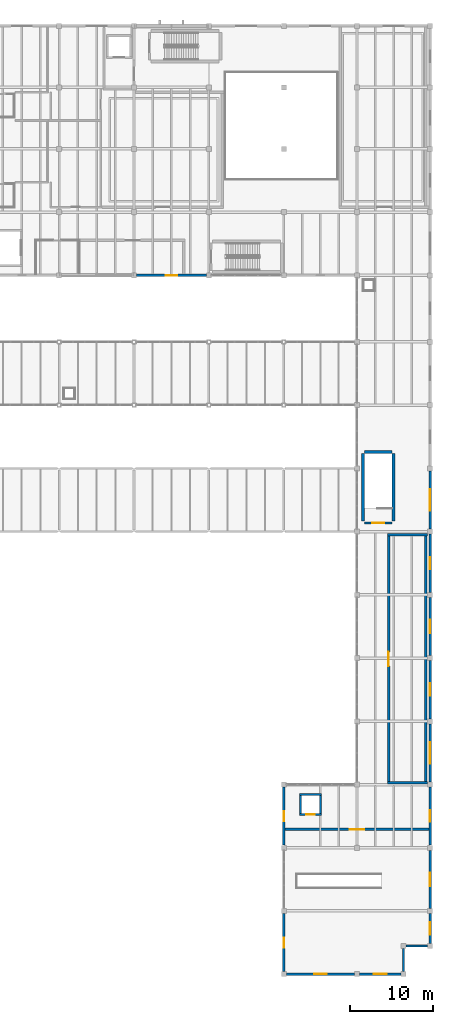
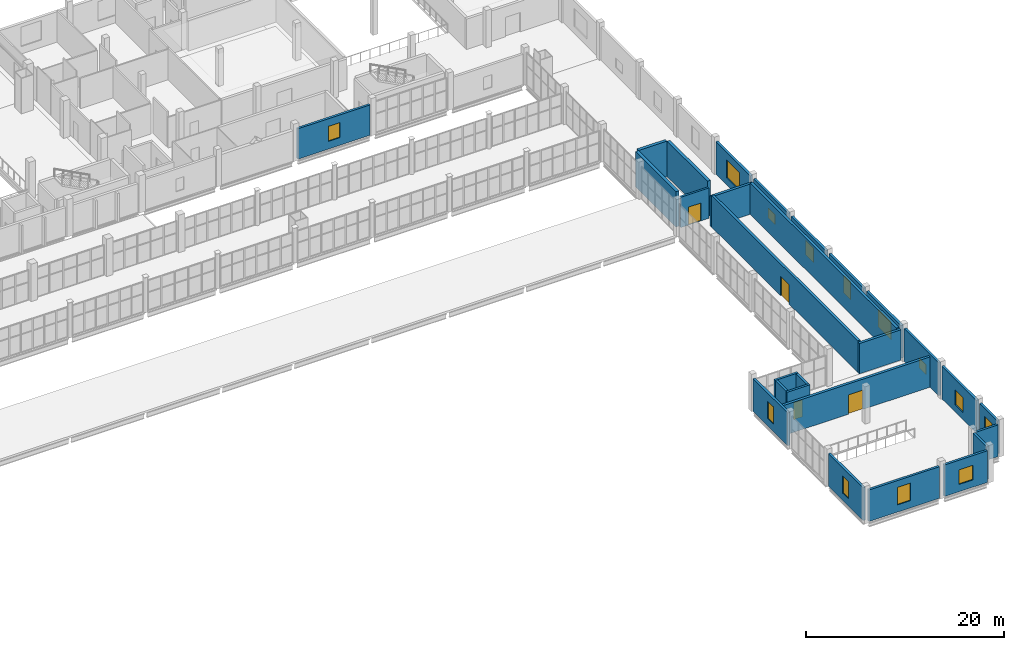
# One storey, part 123 of 136: 28 walls, 13 windows, 4 doors, 17 openings.
"""IFC4 building model written with IfcOpenShell, lengths in metres."""

import ifcopenshell
import ifcopenshell.guid

model = None  # the IFC model being written
_history = None  # IfcOwnerHistory: only IFC2X3 demands one
_inside = {}  # id of a spatial element -> (the spatial element, [elements in it])
_under = {}  # id of a project, library or spatial element -> (it, [spatial elements below it])
_declared = {}  # id of a project -> (the project, [libraries it declares])
_typed = {}  # id of a type object -> (the type object, [elements of that type])
_made_of = {}  # id of a material, layer set ... -> (it, [elements and type objects made of it])


def new_model(schema):
    """Start an empty IFC model of exactly this schema.

    Asked for "IFC4X3", IfcOpenShell would pick the latest addendum, in which some entities
    have other attributes; the version numbers below select the first issue.
    IFC2X3 requires an IfcOwnerHistory on every rooted entity: one is made here for all.
    """
    global model, _history
    if schema == "IFC4X3":
        model = ifcopenshell.file(schema_version=(4, 3, 0, 0))
    else:
        model = ifcopenshell.file(schema=schema)
    _inside.clear()
    _under.clear()
    _declared.clear()
    _typed.clear()
    _made_of.clear()
    _history = None
    if model.schema == "IFC2X3":
        org = make("IfcOrganization", Name="unknown")
        user = make(
            "IfcPersonAndOrganization",
            ThePerson=make("IfcPerson", FamilyName="unknown"),
            TheOrganization=org,
        )
        app = make(
            "IfcApplication",
            ApplicationDeveloper=org,
            Version="unknown",
            ApplicationFullName="unknown",
            ApplicationIdentifier="unknown",
        )
        _history = make(
            "IfcOwnerHistory",
            OwningUser=user,
            OwningApplication=app,
            ChangeAction="ADDED",
            CreationDate=0,
        )
    return model


def make(cls, **values):
    """One entity of the class cls with the attributes given. An attribute that is None is left unset."""
    return model.create_entity(
        cls, **{name: value for name, value in values.items() if value is not None}
    )


def rooted(cls, **values):
    """An entity with a GlobalId (a new one), such as an element, a storey or a relation."""
    return make(cls, GlobalId=ifcopenshell.guid.new(), OwnerHistory=_history, **values)


def si_unit(unit_type, name, prefix=None):
    """IfcSIUnit, for example si_unit("LENGTHUNIT", "METRE", prefix="MILLI")."""
    return make("IfcSIUnit", UnitType=unit_type, Prefix=prefix, Name=name)


def assignment(units):
    """IfcUnitAssignment: the units of a project."""
    return None if units is None else make("IfcUnitAssignment", Units=units)


def point(xyz):
    """IfcCartesianPoint."""
    return None if xyz is None else make("IfcCartesianPoint", Coordinates=xyz)


def direction(xyz):
    """IfcDirection."""
    return None if xyz is None else make("IfcDirection", DirectionRatios=xyz)


def frame(location, z_axis=None, x_axis=None):
    """IfcAxis2Placement3D, a coordinate frame: its origin and axes. An axis left out is left unset."""
    return make(
        "IfcAxis2Placement3D",
        Location=point(location),
        Axis=direction(z_axis),
        RefDirection=direction(x_axis),
    )


def frame_2d(location, x_axis=None):
    """IfcAxis2Placement2D, a coordinate frame in the plane: its origin and x axis."""
    return make(
        "IfcAxis2Placement2D", Location=point(location), RefDirection=direction(x_axis)
    )


def origin():
    """The frame at (0, 0, 0) with its axes left unset."""
    return frame((0.0, 0.0, 0.0))


def place(relative_to, where):
    """IfcLocalPlacement: puts the frame where relative to a parent placement (None: the world)."""
    return make(
        "IfcLocalPlacement", PlacementRelTo=relative_to, RelativePlacement=where
    )


def context(
    kind, dimensions, precision=None, world=None, true_north=None, identifier=None
):
    """IfcGeometricRepresentationContext, for example the 3D "Model" context."""
    return make(
        "IfcGeometricRepresentationContext",
        ContextIdentifier=identifier,
        ContextType=kind,
        CoordinateSpaceDimension=dimensions,
        Precision=precision,
        WorldCoordinateSystem=world,
        TrueNorth=true_north,
    )


def subcontext(parent, identifier, kind, view, scale=None):
    """IfcGeometricRepresentationSubContext, for example "Body" below "Model"."""
    return make(
        "IfcGeometricRepresentationSubContext",
        ContextIdentifier=identifier,
        ContextType=kind,
        ParentContext=parent,
        TargetScale=scale,
        TargetView=view,
    )


def project(units=None, contexts=None):
    """IfcProject with its units and contexts."""
    return rooted(
        "IfcProject",
        Name="project",
        RepresentationContexts=contexts,
        UnitsInContext=assignment(units),
    )


def spatial(cls, under=None, at=None, **own):
    """A site, building, storey or space (cls), placed at a placement, below another one or the project."""
    s = rooted(cls, ObjectPlacement=at, **own)
    if under is not None:
        _under.setdefault(under.id(), (under, []))[1].append(s)
    return s


def profile(cls, at=None, kind="AREA", **sizes):
    """A parametric profile (cls). Its sizes go by their IFC names, for example OverallWidth=200.0."""
    return make(cls, ProfileType=kind, Position=at, **sizes)


def rectangle(**sizes):
    """IfcRectangleProfileDef."""
    return profile("IfcRectangleProfileDef", **sizes)


def extrude(swept, where, along, depth):
    """IfcExtrudedAreaSolid: the profile swept, set in the frame where, extruded along a direction by depth."""
    return make(
        "IfcExtrudedAreaSolid",
        SweptArea=swept,
        Position=where,
        ExtrudedDirection=direction(along),
        Depth=depth,
    )


def shape(context_of_items, identifier, shape_type, items):
    """IfcShapeRepresentation: the items that make up one representation, for example the "Body"."""
    return make(
        "IfcShapeRepresentation",
        ContextOfItems=context_of_items,
        RepresentationIdentifier=identifier,
        RepresentationType=shape_type,
        Items=items,
    )


def material(Name=None, Category=None):
    """IfcMaterial."""
    return make("IfcMaterial", Name=Name, Category=Category)


def layer(
    of_material, thickness, ventilated=None, Name=None, Category=None, Priority=None
):
    """IfcMaterialLayer: one layer of a wall or slab, of a material (None: an air gap)."""
    return make(
        "IfcMaterialLayer",
        Material=of_material,
        LayerThickness=thickness,
        IsVentilated=ventilated,
        Name=Name,
        Category=Category,
        Priority=Priority,
    )


def layer_set(layers, Name=None):
    """IfcMaterialLayerSet."""
    return make("IfcMaterialLayerSet", MaterialLayers=layers, LayerSetName=Name)


def made_of(thing, what):
    """Note that an element or type object is made of a material, layer set ...; save() writes the relation."""
    if what is not None:
        _made_of.setdefault(what.id(), (what, []))[1].append(thing)
    return thing


def type_object(cls, material=None, **own):
    """A type object (cls), such as IfcWallType, which elements share."""
    return made_of(rooted(cls, **own), material)


def element(
    cls,
    number,
    at=None,
    inside=None,
    cuts=None,
    type_object=None,
    material=None,
    context=None,
    identifier="Body",
    shape_type=None,
    held_by="IfcProductDefinitionShape",
    body=None,
    shapes=None,
    **own,
):
    """One element of the class cls, such as IfcWall. Its Tag is "e" and its number.

    at: its placement. inside: the storey or other place that contains it. cuts: it is an
    opening in that element (IfcRelVoidsElement). A single representation is given by context,
    identifier, shape_type and body (its items); several are given by shapes. held_by: the class
    of the entity that holds the representations. save() writes the other relations.
    """
    e = rooted(cls, Tag="e%d" % number, ObjectPlacement=at, **own)
    if body is not None:
        shapes = [shape(context, identifier, shape_type, body)]
    if shapes is not None:
        e.Representation = make(held_by, Representations=shapes)
    if inside is not None:
        _inside.setdefault(inside.id(), (inside, []))[1].append(e)
    if cuts is not None:
        rooted(
            "IfcRelVoidsElement", RelatingBuildingElement=cuts, RelatedOpeningElement=e
        )
    if type_object is not None:
        _typed.setdefault(type_object.id(), (type_object, []))[1].append(e)
    return made_of(e, material)


def fill(opening, filler):
    """IfcRelFillsElement: the door or window that sits in an opening."""
    return rooted(
        "IfcRelFillsElement",
        RelatingOpeningElement=opening,
        RelatedBuildingElement=filler,
    )


def aggregate(whole, parts):
    """IfcRelAggregates: a whole, such as a stair, and the parts it consists of."""
    return rooted("IfcRelAggregates", RelatingObject=whole, RelatedObjects=parts)


def save(model, path):
    """Write the relations noted so far, then the file.

    IfcRelAggregates (storeys below a building ...), IfcRelContainedInSpatialStructure (elements
    in a storey), IfcRelDefinesByType, IfcRelAssociatesMaterial and IfcRelDeclares: one each for
    every whole, place, type object, material and project.
    """
    for whole, parts in _under.values():
        aggregate(whole, parts)
    for where, things in _inside.values():
        rooted(
            "IfcRelContainedInSpatialStructure",
            RelatedElements=things,
            RelatingStructure=where,
        )
    for kind, things in _typed.values():
        rooted("IfcRelDefinesByType", RelatedObjects=things, RelatingType=kind)
    for what, things in _made_of.values():
        rooted("IfcRelAssociatesMaterial", RelatedObjects=things, RelatingMaterial=what)
    for by, libraries in _declared.values():
        rooted("IfcRelDeclares", RelatingContext=by, RelatedDefinitions=libraries)
    model.write(path)


model = new_model("IFC4")

# Units and contexts
model_context = context("Model", 3, precision=1e-05, world=origin(), true_north=direction((0.0, 1.0)))
body_context = subcontext(model_context, "Body", "Model", "MODEL_VIEW")
ifc_project = project(units=[si_unit("LENGTHUNIT", "METRE"), si_unit("AREAUNIT", "SQUARE_METRE"), si_unit("VOLUMEUNIT", "CUBIC_METRE"), si_unit("PLANEANGLEUNIT", "RADIAN"), si_unit("MASSUNIT", "GRAM", prefix="KILO")], contexts=[model_context])

# Site, building, storey
site_placement = place(None, origin())
site = spatial("IfcSite", under=ifc_project, at=site_placement, CompositionType="ELEMENT")
building_placement = place(site_placement, origin())
building = spatial("IfcBuilding", under=site, at=building_placement, Name="Shengluoqiao Park Theatre", CompositionType="ELEMENT")
storey_placement = place(building_placement, frame((0.0, 0.0, 10.0)))
storey = spatial("IfcBuildingStorey", under=building, at=storey_placement, Name="L02", CompositionType="ELEMENT", Elevation=10.0)

# Wall, opening, window
ifc_material_1 = material(Name="Concrete C40", Category="concrete")
ifc_layer_1 = layer(ifc_material_1, 0.27001953125, Name="Concrete C40")
ifc_layer_set_1 = layer_set([ifc_layer_1], Name="Concrete C40")
wall_type_1 = type_object("IfcWallType", Name="ENV-WL-CONC270", PredefinedType="STANDARD", material=ifc_layer_set_1)
wall_1_placement = place(storey_placement, frame((130.7041015625, 84.0, 0.0), z_axis=(0.0, 0.0, 1.0), x_axis=(1.0, 0.0, 0.0)))
wall_1 = element("IfcWall", 1, at=wall_1_placement, inside=storey, type_object=wall_type_1, Name="L02 Exterior Wall 0219", PredefinedType="STANDARD", context=body_context, shape_type="SweptSolid", body=[
    extrude(rectangle(XDim=8.391845703125, YDim=0.27001953125, at=frame_2d((4.19580078125, 0.0))), origin(), (0.0, 0.0, 1.0), 3.738037109375),
])
opening_1_placement = place(wall_1_placement, frame((3.52099609375, 0.0, 0.949951171875)))
opening_1 = element("IfcOpeningElement", 2, at=opening_1_placement, cuts=wall_1, Name="Opening W-17", PredefinedType="OPENING", context=body_context, shape_type="SweptSolid", body=[
    extrude(rectangle(XDim=1.35009765625, YDim=1.85009765625, at=frame_2d((0.675048828125, 0.925048828125))), frame((0.0, 0.14501953125, 0.0), z_axis=(0.0, -1.0, 0.0), x_axis=(1.0, 0.0, 0.0)), (0.0, 0.0, 1.0), 0.2900390625),
])
ifc_material_2 = material(Name="Insulated glass", Category="glass")
window_type_1 = type_object("IfcWindowType", Name="ENV-WIN-W17", PartitioningType="SINGLE_PANEL", PredefinedType="WINDOW", material=ifc_material_2)
window_1_placement = place(opening_1_placement, origin())
window_1 = element("IfcWindow", 3, at=window_1_placement, inside=storey, type_object=window_type_1, Name="L02 Acoustic Window 0063", OverallHeight=1.85009765625, OverallWidth=1.35009765625, PartitioningType="SINGLE_PANEL", PredefinedType="WINDOW", context=body_context, shape_type="SweptSolid", body=[
    extrude(rectangle(XDim=1.35009765625, YDim=1.85009765625, at=frame_2d((0.675048828125, 0.925048828125))), frame((0.0, 0.030029296875, 0.0), z_axis=(0.0, -1.0, 0.0), x_axis=(1.0, 0.0, 0.0)), (0.0, 0.0, 1.0), 0.06005859375),
])
fill(opening_1, window_1)

wall_2_placement = place(storey_placement, frame((166.0, 3.7041015625, 0.0), z_axis=(0.0, 0.0, 1.0), x_axis=(0.0, 1.0, 0.0)))
wall_2 = element("IfcWall", 4, at=wall_2_placement, inside=storey, type_object=wall_type_1, Name="L02 Exterior Wall 0221", PredefinedType="STANDARD", context=body_context, shape_type="SweptSolid", body=[
    extrude(rectangle(XDim=3.591796875, YDim=0.27001953125, at=frame_2d((1.7958984375, 0.0))), origin(), (0.0, 0.0, 1.0), 4.033935546875),
])
opening_2_placement = place(wall_2_placement, frame((1.0458984375, 0.0, 0.89990234375)))
opening_2 = element("IfcOpeningElement", 5, at=opening_2_placement, cuts=wall_2, Name="Opening W-03", PredefinedType="OPENING", context=body_context, shape_type="SweptSolid", body=[
    extrude(rectangle(XDim=1.5, YDim=2.14990234375, at=frame_2d((0.75, 1.074951171875))), frame((0.0, 0.14501953125, 0.0), z_axis=(0.0, -1.0, 0.0), x_axis=(1.0, 0.0, 0.0)), (0.0, 0.0, 1.0), 0.2900390625),
])
window_type_2 = type_object("IfcWindowType", Name="ENV-WIN-W03", PartitioningType="DOUBLE_PANEL_VERTICAL", PredefinedType="WINDOW", material=ifc_material_2)
window_2_placement = place(opening_2_placement, origin())
window_2 = element("IfcWindow", 6, at=window_2_placement, inside=storey, type_object=window_type_2, Name="L02 Acoustic Window 0065", OverallHeight=2.14990234375, OverallWidth=1.5, PartitioningType="DOUBLE_PANEL_VERTICAL", PredefinedType="WINDOW", context=body_context, shape_type="SweptSolid", body=[
    extrude(rectangle(XDim=1.5, YDim=2.14990234375, at=frame_2d((0.75, 1.074951171875))), frame((0.0, 0.030029296875, 0.0), z_axis=(0.0, -1.0, 0.0), x_axis=(1.0, 0.0, 0.0)), (0.0, 0.0, 1.0), 0.06005859375),
])
fill(opening_2, window_2)

wall_3_placement = place(storey_placement, frame((166.0, 7.904052734375, 0.0), z_axis=(0.0, 0.0, 1.0), x_axis=(0.0, 1.0, 0.0)))
wall_3 = element("IfcWall", 7, at=wall_3_placement, inside=storey, type_object=wall_type_1, Name="L02 Exterior Wall 0222", PredefinedType="STANDARD", context=body_context, shape_type="SweptSolid", body=[
    extrude(rectangle(XDim=6.991943359375, YDim=0.27001953125, at=frame_2d((3.49609375, 0.0))), origin(), (0.0, 0.0, 1.0), 4.033935546875),
])
opening_3_placement = place(wall_3_placement, frame((2.696044921875, 0.0, 0.89990234375)))
opening_3 = element("IfcOpeningElement", 8, at=opening_3_placement, cuts=wall_3, Name="Opening W-06", PredefinedType="OPENING", context=body_context, shape_type="SweptSolid", body=[
    extrude(rectangle(XDim=1.60009765625, YDim=1.800048828125, at=frame_2d((0.800048828125, 0.89990234375))), frame((0.0, 0.14501953125, 0.0), z_axis=(0.0, -1.0, 0.0), x_axis=(1.0, 0.0, 0.0)), (0.0, 0.0, 1.0), 0.2900390625),
])
window_type_3 = type_object("IfcWindowType", Name="ENV-WIN-W06", PartitioningType="DOUBLE_PANEL_VERTICAL", PredefinedType="WINDOW", material=ifc_material_2)
window_3_placement = place(opening_3_placement, origin())
window_3 = element("IfcWindow", 9, at=window_3_placement, inside=storey, type_object=window_type_3, Name="L02 Acoustic Window 0066", OverallHeight=1.800048828125, OverallWidth=1.60009765625, PartitioningType="DOUBLE_PANEL_VERTICAL", PredefinedType="WINDOW", context=body_context, shape_type="SweptSolid", body=[
    extrude(rectangle(XDim=1.60009765625, YDim=1.800048828125, at=frame_2d((0.800048828125, 0.89990234375))), frame((0.0, 0.030029296875, 0.0), z_axis=(0.0, -1.0, 0.0), x_axis=(1.0, 0.0, 0.0)), (0.0, 0.0, 1.0), 0.06005859375),
])
fill(opening_3, window_3)

wall_4_placement = place(storey_placement, frame((166.0, 15.50390625, 0.0), z_axis=(0.0, 0.0, 1.0), x_axis=(0.0, 1.0, 0.0)))
wall_4 = element("IfcWall", 10, at=wall_4_placement, inside=storey, type_object=wall_type_1, Name="L02 Exterior Wall 0223", PredefinedType="STANDARD", context=body_context, shape_type="SweptSolid", body=[
    extrude(rectangle(XDim=6.9921875, YDim=0.27001953125, at=frame_2d((3.49609375, 0.0))), origin(), (0.0, 0.0, 1.0), 4.033935546875),
])
opening_4_placement = place(wall_4_placement, frame((2.7958984375, 0.0, 0.89990234375)))
opening_4 = element("IfcOpeningElement", 11, at=opening_4_placement, cuts=wall_4, Name="Opening W-12", PredefinedType="OPENING", context=body_context, shape_type="SweptSolid", body=[
    extrude(rectangle(XDim=1.39990234375, YDim=1.199951171875, at=frame_2d((0.699951171875, 0.60009765625))), frame((0.0, 0.14501953125, 0.0), z_axis=(0.0, -1.0, 0.0), x_axis=(1.0, 0.0, 0.0)), (0.0, 0.0, 1.0), 0.2900390625),
])
window_type_4 = type_object("IfcWindowType", Name="ENV-WIN-W12", PartitioningType="SINGLE_PANEL", PredefinedType="WINDOW", material=ifc_material_2)
window_4_placement = place(opening_4_placement, origin())
window_4 = element("IfcWindow", 12, at=window_4_placement, inside=storey, type_object=window_type_4, Name="L02 Acoustic Window 0067", OverallHeight=1.199951171875, OverallWidth=1.39990234375, PartitioningType="SINGLE_PANEL", PredefinedType="WINDOW", context=body_context, shape_type="SweptSolid", body=[
    extrude(rectangle(XDim=1.39990234375, YDim=1.199951171875, at=frame_2d((0.699951171875, 0.60009765625))), frame((0.0, 0.030029296875, 0.0), z_axis=(0.0, -1.0, 0.0), x_axis=(1.0, 0.0, 0.0)), (0.0, 0.0, 1.0), 0.06005859375),
])
fill(opening_4, window_4)

wall_5_placement = place(storey_placement, frame((166.0, 23.10400390625, 0.0), z_axis=(0.0, 0.0, 1.0), x_axis=(0.0, 1.0, 0.0)))
wall_5 = element("IfcWall", 13, at=wall_5_placement, inside=storey, type_object=wall_type_1, Name="L02 Exterior Wall 0224", PredefinedType="STANDARD", context=body_context, shape_type="SweptSolid", body=[
    extrude(rectangle(XDim=6.991943359375, YDim=0.27001953125, at=frame_2d((3.49609375, 0.0))), origin(), (0.0, 0.0, 1.0), 4.033935546875),
])
opening_5_placement = place(wall_5_placement, frame((2.196044921875, 0.0, 0.89990234375)))
opening_5 = element("IfcOpeningElement", 14, at=opening_5_placement, cuts=wall_5, Name="Opening W-14", PredefinedType="OPENING", context=body_context, shape_type="SweptSolid", body=[
    extrude(rectangle(XDim=2.60009765625, YDim=2.199951171875, at=frame_2d((1.300048828125, 1.10009765625))), frame((0.0, 0.14501953125, 0.0), z_axis=(0.0, -1.0, 0.0), x_axis=(1.0, 0.0, 0.0)), (0.0, 0.0, 1.0), 0.2900390625),
])
window_type_5 = type_object("IfcWindowType", Name="ENV-WIN-W14", PartitioningType="DOUBLE_PANEL_VERTICAL", PredefinedType="WINDOW", material=ifc_material_2)
window_5_placement = place(opening_5_placement, origin())
window_5 = element("IfcWindow", 15, at=window_5_placement, inside=storey, type_object=window_type_5, Name="L02 Acoustic Window 0068", OverallHeight=2.199951171875, OverallWidth=2.60009765625, PartitioningType="DOUBLE_PANEL_VERTICAL", PredefinedType="WINDOW", context=body_context, shape_type="SweptSolid", body=[
    extrude(rectangle(XDim=2.60009765625, YDim=2.199951171875, at=frame_2d((1.300048828125, 1.10009765625))), frame((0.0, 0.030029296875, 0.0), z_axis=(0.0, -1.0, 0.0), x_axis=(1.0, 0.0, 0.0)), (0.0, 0.0, 1.0), 0.06005859375),
])
fill(opening_5, window_5)

wall_6_placement = place(storey_placement, frame((166.0, 30.7041015625, 0.0), z_axis=(0.0, 0.0, 1.0), x_axis=(0.0, 1.0, 0.0)))
wall_6 = element("IfcWall", 16, at=wall_6_placement, inside=storey, type_object=wall_type_1, Name="L02 Exterior Wall 0225", PredefinedType="STANDARD", context=body_context, shape_type="SweptSolid", body=[
    extrude(rectangle(XDim=6.991943359375, YDim=0.27001953125, at=frame_2d((3.49609375, 0.0))), origin(), (0.0, 0.0, 1.0), 4.033935546875),
])
opening_6_placement = place(wall_6_placement, frame((2.74609375, 0.0, 0.89990234375)))
opening_6 = element("IfcOpeningElement", 17, at=opening_6_placement, cuts=wall_6, Name="Opening W-03", PredefinedType="OPENING", context=body_context, shape_type="SweptSolid", body=[
    extrude(rectangle(XDim=1.5, YDim=2.14990234375, at=frame_2d((0.75, 1.074951171875))), frame((0.0, 0.14501953125, 0.0), z_axis=(0.0, -1.0, 0.0), x_axis=(1.0, 0.0, 0.0)), (0.0, 0.0, 1.0), 0.2900390625),
])
window_6_placement = place(opening_6_placement, origin())
window_6 = element("IfcWindow", 18, at=window_6_placement, inside=storey, type_object=window_type_2, Name="L02 Acoustic Window 0069", OverallHeight=2.14990234375, OverallWidth=1.5, PartitioningType="DOUBLE_PANEL_VERTICAL", PredefinedType="WINDOW", context=body_context, shape_type="SweptSolid", body=[
    extrude(rectangle(XDim=1.5, YDim=2.14990234375, at=frame_2d((0.75, 1.074951171875))), frame((0.0, 0.030029296875, 0.0), z_axis=(0.0, -1.0, 0.0), x_axis=(1.0, 0.0, 0.0)), (0.0, 0.0, 1.0), 0.06005859375),
])
fill(opening_6, window_6)

wall_7_placement = place(storey_placement, frame((166.0, 38.303955078125, 0.0), z_axis=(0.0, 0.0, 1.0), x_axis=(0.0, 1.0, 0.0)))
wall_7 = element("IfcWall", 19, at=wall_7_placement, inside=storey, type_object=wall_type_1, Name="L02 Exterior Wall 0226", PredefinedType="STANDARD", context=body_context, shape_type="SweptSolid", body=[
    extrude(rectangle(XDim=6.991943359375, YDim=0.27001953125, at=frame_2d((3.49609375, 0.0))), origin(), (0.0, 0.0, 1.0), 4.033935546875),
])
opening_7_placement = place(wall_7_placement, frame((2.696044921875, 0.0, 0.89990234375)))
opening_7 = element("IfcOpeningElement", 20, at=opening_7_placement, cuts=wall_7, Name="Opening W-06", PredefinedType="OPENING", context=body_context, shape_type="SweptSolid", body=[
    extrude(rectangle(XDim=1.60009765625, YDim=1.800048828125, at=frame_2d((0.800048828125, 0.89990234375))), frame((0.0, 0.14501953125, 0.0), z_axis=(0.0, -1.0, 0.0), x_axis=(1.0, 0.0, 0.0)), (0.0, 0.0, 1.0), 0.2900390625),
])
window_7_placement = place(opening_7_placement, origin())
window_7 = element("IfcWindow", 21, at=window_7_placement, inside=storey, type_object=window_type_3, Name="L02 Acoustic Window 0070", OverallHeight=1.800048828125, OverallWidth=1.60009765625, PartitioningType="DOUBLE_PANEL_VERTICAL", PredefinedType="WINDOW", context=body_context, shape_type="SweptSolid", body=[
    extrude(rectangle(XDim=1.60009765625, YDim=1.800048828125, at=frame_2d((0.800048828125, 0.89990234375))), frame((0.0, 0.030029296875, 0.0), z_axis=(0.0, -1.0, 0.0), x_axis=(1.0, 0.0, 0.0)), (0.0, 0.0, 1.0), 0.06005859375),
])
fill(opening_7, window_7)

wall_8_placement = place(storey_placement, frame((166.0, 45.904052734375, 0.0), z_axis=(0.0, 0.0, 1.0), x_axis=(0.0, 1.0, 0.0)))
wall_8 = element("IfcWall", 22, at=wall_8_placement, inside=storey, type_object=wall_type_1, Name="L02 Exterior Wall 0227", PredefinedType="STANDARD", context=body_context, shape_type="SweptSolid", body=[
    extrude(rectangle(XDim=6.991943359375, YDim=0.27001953125, at=frame_2d((3.49609375, 0.0))), origin(), (0.0, 0.0, 1.0), 4.033935546875),
])
opening_8_placement = place(wall_8_placement, frame((2.7958984375, 0.0, 0.89990234375)))
opening_8 = element("IfcOpeningElement", 23, at=opening_8_placement, cuts=wall_8, Name="Opening W-12", PredefinedType="OPENING", context=body_context, shape_type="SweptSolid", body=[
    extrude(rectangle(XDim=1.39990234375, YDim=1.199951171875, at=frame_2d((0.699951171875, 0.60009765625))), frame((0.0, 0.14501953125, 0.0), z_axis=(0.0, -1.0, 0.0), x_axis=(1.0, 0.0, 0.0)), (0.0, 0.0, 1.0), 0.2900390625),
])
window_8_placement = place(opening_8_placement, origin())
window_8 = element("IfcWindow", 24, at=window_8_placement, inside=storey, type_object=window_type_4, Name="L02 Acoustic Window 0071", OverallHeight=1.199951171875, OverallWidth=1.39990234375, PartitioningType="SINGLE_PANEL", PredefinedType="WINDOW", context=body_context, shape_type="SweptSolid", body=[
    extrude(rectangle(XDim=1.39990234375, YDim=1.199951171875, at=frame_2d((0.699951171875, 0.60009765625))), frame((0.0, 0.030029296875, 0.0), z_axis=(0.0, -1.0, 0.0), x_axis=(1.0, 0.0, 0.0)), (0.0, 0.0, 1.0), 0.06005859375),
])
fill(opening_8, window_8)

wall_9_placement = place(storey_placement, frame((166.0, 53.50390625, 0.0), z_axis=(0.0, 0.0, 1.0), x_axis=(0.0, 1.0, 0.0)))
wall_9 = element("IfcWall", 25, at=wall_9_placement, inside=storey, type_object=wall_type_1, Name="L02 Exterior Wall 0228", PredefinedType="STANDARD", context=body_context, shape_type="SweptSolid", body=[
    extrude(rectangle(XDim=6.9921875, YDim=0.27001953125, at=frame_2d((3.49609375, 0.0))), origin(), (0.0, 0.0, 1.0), 4.033935546875),
])
opening_9_placement = place(wall_9_placement, frame((2.196044921875, 0.0, 0.89990234375)))
opening_9 = element("IfcOpeningElement", 26, at=opening_9_placement, cuts=wall_9, Name="Opening W-14", PredefinedType="OPENING", context=body_context, shape_type="SweptSolid", body=[
    extrude(rectangle(XDim=2.60009765625, YDim=2.199951171875, at=frame_2d((1.300048828125, 1.10009765625))), frame((0.0, 0.14501953125, 0.0), z_axis=(0.0, -1.0, 0.0), x_axis=(1.0, 0.0, 0.0)), (0.0, 0.0, 1.0), 0.2900390625),
])
window_9_placement = place(opening_9_placement, origin())
window_9 = element("IfcWindow", 27, at=window_9_placement, inside=storey, type_object=window_type_5, Name="L02 Acoustic Window 0072", OverallHeight=2.199951171875, OverallWidth=2.60009765625, PartitioningType="DOUBLE_PANEL_VERTICAL", PredefinedType="WINDOW", context=body_context, shape_type="SweptSolid", body=[
    extrude(rectangle(XDim=2.60009765625, YDim=2.199951171875, at=frame_2d((1.300048828125, 1.10009765625))), frame((0.0, 0.030029296875, 0.0), z_axis=(0.0, -1.0, 0.0), x_axis=(1.0, 0.0, 0.0)), (0.0, 0.0, 1.0), 0.06005859375),
])
fill(opening_9, window_9)

wall_10_placement = place(storey_placement, frame((148.7041015625, 0.0, 0.0), z_axis=(0.0, 0.0, 1.0), x_axis=(1.0, 0.0, 0.0)))
wall_10 = element("IfcWall", 28, at=wall_10_placement, inside=storey, type_object=wall_type_1, Name="L02 Exterior Wall 0287", PredefinedType="STANDARD", context=body_context, shape_type="SweptSolid", body=[
    extrude(rectangle(XDim=8.19189453125, YDim=0.27001953125, at=frame_2d((4.095947265625, 0.0))), origin(), (0.0, 0.0, 1.0), 3.887939453125),
])
opening_10_placement = place(wall_10_placement, frame((3.345947265625, 0.0, 0.89990234375)))
opening_10 = element("IfcOpeningElement", 29, at=opening_10_placement, cuts=wall_10, Name="Opening W-03", PredefinedType="OPENING", context=body_context, shape_type="SweptSolid", body=[
    extrude(rectangle(XDim=1.5, YDim=2.14990234375, at=frame_2d((0.75, 1.074951171875))), frame((0.0, 0.14501953125, 0.0), z_axis=(0.0, -1.0, 0.0), x_axis=(1.0, 0.0, 0.0)), (0.0, 0.0, 1.0), 0.2900390625),
])
window_10_placement = place(opening_10_placement, origin())
window_10 = element("IfcWindow", 30, at=window_10_placement, inside=storey, type_object=window_type_2, Name="L02 Acoustic Window 0121", OverallHeight=2.14990234375, OverallWidth=1.5, PartitioningType="DOUBLE_PANEL_VERTICAL", PredefinedType="WINDOW", context=body_context, shape_type="SweptSolid", body=[
    extrude(rectangle(XDim=1.5, YDim=2.14990234375, at=frame_2d((0.75, 1.074951171875))), frame((0.0, 0.030029296875, 0.0), z_axis=(0.0, -1.0, 0.0), x_axis=(1.0, 0.0, 0.0)), (0.0, 0.0, 1.0), 0.06005859375),
])
fill(opening_10, window_10)

wall_11_placement = place(storey_placement, frame((157.50390625, 0.0, 0.0), z_axis=(0.0, 0.0, 1.0), x_axis=(1.0, 0.0, 0.0)))
wall_11 = element("IfcWall", 31, at=wall_11_placement, inside=storey, type_object=wall_type_1, Name="L02 Exterior Wall 0288", PredefinedType="STANDARD", context=body_context, shape_type="SweptSolid", body=[
    extrude(rectangle(XDim=4.9921875, YDim=0.27001953125, at=frame_2d((2.49609375, 0.0))), origin(), (0.0, 0.0, 1.0), 3.887939453125),
])
opening_11_placement = place(wall_11_placement, frame((1.696044921875, 0.0, 0.89990234375)))
opening_11 = element("IfcOpeningElement", 32, at=opening_11_placement, cuts=wall_11, Name="Opening W-06", PredefinedType="OPENING", context=body_context, shape_type="SweptSolid", body=[
    extrude(rectangle(XDim=1.60009765625, YDim=1.800048828125, at=frame_2d((0.800048828125, 0.89990234375))), frame((0.0, 0.14501953125, 0.0), z_axis=(0.0, -1.0, 0.0), x_axis=(1.0, 0.0, 0.0)), (0.0, 0.0, 1.0), 0.2900390625),
])
window_11_placement = place(opening_11_placement, origin())
window_11 = element("IfcWindow", 33, at=window_11_placement, inside=storey, type_object=window_type_3, Name="L02 Acoustic Window 0122", OverallHeight=1.800048828125, OverallWidth=1.60009765625, PartitioningType="DOUBLE_PANEL_VERTICAL", PredefinedType="WINDOW", context=body_context, shape_type="SweptSolid", body=[
    extrude(rectangle(XDim=1.60009765625, YDim=1.800048828125, at=frame_2d((0.800048828125, 0.89990234375))), frame((0.0, 0.030029296875, 0.0), z_axis=(0.0, -1.0, 0.0), x_axis=(1.0, 0.0, 0.0)), (0.0, 0.0, 1.0), 0.06005859375),
])
fill(opening_11, window_11)

# Walls
wall_12_placement = place(storey_placement, frame((162.800048828125, 0.303955078125, 0.0), z_axis=(0.0, 0.0, 1.0), x_axis=(0.0, 1.0, 0.0)))
element("IfcWall", 34, at=wall_12_placement, inside=storey, type_object=wall_type_1, Name="L02 Exterior Wall 0289", PredefinedType="STANDARD", context=body_context, shape_type="SweptSolid", body=[
    extrude(rectangle(XDim=2.7919921875, YDim=0.27001953125, at=frame_2d((1.39599609375, 0.0))), origin(), (0.0, 0.0, 1.0), 4.033935546875),
])
wall_13_placement = place(storey_placement, frame((163.10400390625, 3.39990234375, 0.0), z_axis=(0.0, 0.0, 1.0), x_axis=(1.0, 0.0, 0.0)))
element("IfcWall", 35, at=wall_13_placement, inside=storey, type_object=wall_type_1, Name="L02 Exterior Wall 0290", PredefinedType="STANDARD", context=body_context, shape_type="SweptSolid", body=[
    extrude(rectangle(XDim=2.592041015625, YDim=0.27001953125, at=frame_2d((1.2958984375, 0.0))), origin(), (0.0, 0.0, 1.0), 3.887939453125),
])

# Wall, opening, window
wall_14_placement = place(storey_placement, frame((148.39990234375, 0.303955078125, 0.0), z_axis=(0.0, 0.0, 1.0), x_axis=(0.0, 1.0, 0.0)))
wall_14 = element("IfcWall", 36, at=wall_14_placement, inside=storey, type_object=wall_type_1, Name="L02 Exterior Wall 0291", PredefinedType="STANDARD", context=body_context, shape_type="SweptSolid", body=[
    extrude(rectangle(XDim=6.991943359375, YDim=0.27001953125, at=frame_2d((3.49609375, 0.0))), origin(), (0.0, 0.0, 1.0), 4.033935546875),
])
opening_12_placement = place(wall_14_placement, frame((2.89599609375, 0.0, 0.89990234375)))
opening_12 = element("IfcOpeningElement", 37, at=opening_12_placement, cuts=wall_14, Name="Opening W-04", PredefinedType="OPENING", context=body_context, shape_type="SweptSolid", body=[
    extrude(rectangle(XDim=1.199951171875, YDim=2.14990234375, at=frame_2d((0.60009765625, 1.074951171875))), frame((0.0, 0.14501953125, 0.0), z_axis=(0.0, -1.0, 0.0), x_axis=(1.0, 0.0, 0.0)), (0.0, 0.0, 1.0), 0.2900390625),
])
window_type_6 = type_object("IfcWindowType", Name="ENV-WIN-W04", PartitioningType="SINGLE_PANEL", PredefinedType="WINDOW", material=ifc_material_2)
window_12_placement = place(opening_12_placement, origin())
window_12 = element("IfcWindow", 38, at=window_12_placement, inside=storey, type_object=window_type_6, Name="L02 Acoustic Window 0123", OverallHeight=2.14990234375, OverallWidth=1.199951171875, PartitioningType="SINGLE_PANEL", PredefinedType="WINDOW", context=body_context, shape_type="SweptSolid", body=[
    extrude(rectangle(XDim=1.199951171875, YDim=2.14990234375, at=frame_2d((0.60009765625, 1.074951171875))), frame((0.0, 0.030029296875, 0.0), z_axis=(0.0, -1.0, 0.0), x_axis=(1.0, 0.0, 0.0)), (0.0, 0.0, 1.0), 0.06005859375),
])
fill(opening_12, window_12)

wall_15_placement = place(storey_placement, frame((148.39990234375, 15.50390625, 0.0), z_axis=(0.0, 0.0, 1.0), x_axis=(0.0, 1.0, 0.0)))
wall_15 = element("IfcWall", 39, at=wall_15_placement, inside=storey, type_object=wall_type_1, Name="L02 Exterior Wall 0292", PredefinedType="STANDARD", context=body_context, shape_type="SweptSolid", body=[
    extrude(rectangle(XDim=6.9921875, YDim=0.27001953125, at=frame_2d((3.49609375, 0.0))), origin(), (0.0, 0.0, 1.0), 4.033935546875),
])
opening_13_placement = place(wall_15_placement, frame((2.89599609375, 0.0, 0.89990234375)))
opening_13 = element("IfcOpeningElement", 40, at=opening_13_placement, cuts=wall_15, Name="Opening W-04", PredefinedType="OPENING", context=body_context, shape_type="SweptSolid", body=[
    extrude(rectangle(XDim=1.199951171875, YDim=2.14990234375, at=frame_2d((0.60009765625, 1.074951171875))), frame((0.0, 0.14501953125, 0.0), z_axis=(0.0, -1.0, 0.0), x_axis=(1.0, 0.0, 0.0)), (0.0, 0.0, 1.0), 0.2900390625),
])
window_13_placement = place(opening_13_placement, origin())
window_13 = element("IfcWindow", 41, at=window_13_placement, inside=storey, type_object=window_type_6, Name="L02 Acoustic Window 0124", OverallHeight=2.14990234375, OverallWidth=1.199951171875, PartitioningType="SINGLE_PANEL", PredefinedType="WINDOW", context=body_context, shape_type="SweptSolid", body=[
    extrude(rectangle(XDim=1.199951171875, YDim=2.14990234375, at=frame_2d((0.60009765625, 1.074951171875))), frame((0.0, 0.030029296875, 0.0), z_axis=(0.0, -1.0, 0.0), x_axis=(1.0, 0.0, 0.0)), (0.0, 0.0, 1.0), 0.06005859375),
])
fill(opening_13, window_13)

# Wall, opening, door
ifc_material_3 = material(Name="Gypsum acoustic stud", Category="gypsum")
ifc_layer_2 = layer(ifc_material_3, 0.300048828125, Name="Gypsum acoustic stud")
ifc_layer_set_2 = layer_set([ifc_layer_2], Name="Gypsum acoustic stud")
wall_type_2 = type_object("IfcWallType", Name="INT-WL-ACO300", PredefinedType="PARTITIONING", material=ifc_layer_set_2)
wall_16_placement = place(storey_placement, frame((148.54296875, 17.39990234375, 0.0), z_axis=(0.0, 0.0, 1.0), x_axis=(1.0, 0.0, 0.0)))
wall_16 = element("IfcWall", 42, at=wall_16_placement, inside=storey, type_object=wall_type_2, Name="Youth Drama Education Studio Partition N", PredefinedType="PARTITIONING", context=body_context, shape_type="SweptSolid", body=[
    extrude(rectangle(XDim=17.31396484375, YDim=0.300048828125, at=frame_2d((8.656982421875, 0.0))), origin(), (0.0, 0.0, 1.0), 3.72802734375),
])
opening_14_placement = place(wall_16_placement, frame((7.797119140625, 0.0, 0.0)))
opening_14 = element("IfcOpeningElement", 43, at=opening_14_placement, cuts=wall_16, Name="Opening D-L02-073", PredefinedType="OPENING", context=body_context, shape_type="SweptSolid", body=[
    extrude(rectangle(XDim=1.719970703125, YDim=2.3798828125, at=frame_2d((0.85986328125, 1.18994140625))), frame((0.0, 0.159912109375, 0.0), z_axis=(0.0, -1.0, 0.0), x_axis=(1.0, 0.0, 0.0)), (0.0, 0.0, 1.0), 0.320068359375),
])
ifc_material_4 = material(Name="Acoustic timber", Category="wood")
door_type_1 = type_object("IfcDoorType", Name="INT-DR-REH172", OperationType="DOUBLE_DOOR_SINGLE_SWING", PredefinedType="DOOR", material=ifc_material_4)
door_1_placement = place(opening_14_placement, origin())
door_1 = element("IfcDoor", 44, at=door_1_placement, inside=storey, type_object=door_type_1, Name="Youth Drama Education Studio Door D-L02-073", OperationType="DOUBLE_DOOR_SINGLE_SWING", OverallHeight=2.3798828125, OverallWidth=1.719970703125, PredefinedType="DOOR", context=body_context, shape_type="SweptSolid", body=[
    extrude(rectangle(XDim=1.719970703125, YDim=2.3798828125, at=frame_2d((0.85986328125, 1.18994140625))), frame((0.0, 0.02490234375, 0.0), z_axis=(0.0, -1.0, 0.0), x_axis=(1.0, 0.0, 0.0)), (0.0, 0.0, 1.0), 0.050048828125),
])
fill(opening_14, door_1)

# Walls
wall_17_placement = place(storey_placement, frame((160.85009765625, 23.0, 0.0), z_axis=(0.0, 0.0, 1.0), x_axis=(1.0, 0.0, 0.0)))
element("IfcWall", 45, at=wall_17_placement, inside=storey, type_object=wall_type_2, Name="East Conservatory Practice Suites Partition S", PredefinedType="PARTITIONING", context=body_context, shape_type="SweptSolid", body=[
    extrude(rectangle(XDim=4.841796875, YDim=0.300048828125, at=frame_2d((2.4208984375, 0.0))), origin(), (0.0, 0.0, 1.0), 3.72802734375),
])
wall_18_placement = place(storey_placement, frame((160.85009765625, 52.800048828125, 0.0), z_axis=(0.0, 0.0, 1.0), x_axis=(1.0, 0.0, 0.0)))
element("IfcWall", 46, at=wall_18_placement, inside=storey, type_object=wall_type_2, Name="East Conservatory Practice Suites Partition N", PredefinedType="PARTITIONING", context=body_context, shape_type="SweptSolid", body=[
    extrude(rectangle(XDim=4.843994140625, YDim=0.300048828125, at=frame_2d((2.421875, 0.0))), origin(), (0.0, 0.0, 1.0), 3.72802734375),
])

# Wall, opening, door
wall_19_placement = place(storey_placement, frame((161.0, 23.156005859375, 0.0), z_axis=(0.0, 0.0, 1.0), x_axis=(0.0, 1.0, 0.0)))
wall_19 = element("IfcWall", 47, at=wall_19_placement, inside=storey, type_object=wall_type_2, Name="East Conservatory Practice Suites Partition W", PredefinedType="PARTITIONING", context=body_context, shape_type="SweptSolid", body=[
    extrude(rectangle(XDim=29.488037109375, YDim=0.300048828125, at=frame_2d((14.744140625, 0.0))), origin(), (0.0, 0.0, 1.0), 3.887939453125),
])
opening_15_placement = place(wall_19_placement, frame((13.884033203125, 0.0, 0.0)))
opening_15 = element("IfcOpeningElement", 48, at=opening_15_placement, cuts=wall_19, Name="Opening D-L02-074", PredefinedType="OPENING", context=body_context, shape_type="SweptSolid", body=[
    extrude(rectangle(XDim=1.719970703125, YDim=2.3798828125, at=frame_2d((0.85986328125, 1.18994140625))), frame((0.0, 0.159912109375, 0.0), z_axis=(0.0, -1.0, 0.0), x_axis=(1.0, 0.0, 0.0)), (0.0, 0.0, 1.0), 0.320068359375),
])
door_2_placement = place(opening_15_placement, origin())
door_2 = element("IfcDoor", 49, at=door_2_placement, inside=storey, type_object=door_type_1, Name="East Conservatory Practice Suites Door D-L02-074", OperationType="DOUBLE_DOOR_SINGLE_SWING", OverallHeight=2.3798828125, OverallWidth=1.719970703125, PredefinedType="DOOR", context=body_context, shape_type="SweptSolid", body=[
    extrude(rectangle(XDim=1.719970703125, YDim=2.3798828125, at=frame_2d((0.85986328125, 1.18994140625))), frame((0.0, 0.02490234375, 0.0), z_axis=(0.0, -1.0, 0.0), x_axis=(1.0, 0.0, 0.0)), (0.0, 0.0, 1.0), 0.050048828125),
])
fill(opening_15, door_2)

# Wall
wall_20_placement = place(storey_placement, frame((165.47998046875, 23.156005859375, 0.0), z_axis=(0.0, 0.0, 1.0), x_axis=(0.0, 1.0, 0.0)))
element("IfcWall", 50, at=wall_20_placement, inside=storey, type_object=wall_type_2, Name="East Conservatory Practice Suites Partition E", PredefinedType="PARTITIONING", context=body_context, shape_type="SweptSolid", body=[
    extrude(rectangle(XDim=29.488037109375, YDim=0.300048828125, at=frame_2d((14.744140625, 0.0))), origin(), (0.0, 0.0, 1.0), 3.887939453125),
])

# Wall, opening, door
ifc_layer_3 = layer(ifc_material_1, 0.260009765625, Name="Concrete C40")
ifc_layer_set_3 = layer_set([ifc_layer_3], Name="Concrete C40")
wall_type_3 = type_object("IfcWallType", Name="INT-WL-SHF260", PredefinedType="STANDARD", material=ifc_layer_set_3)
wall_21_placement = place(storey_placement, frame((150.27001953125, 19.199951171875, 0.0), z_axis=(0.0, 0.0, 1.0), x_axis=(1.0, 0.0, 0.0)))
wall_21 = element("IfcWall", 51, at=wall_21_placement, inside=storey, type_object=wall_type_3, Name="L02 SL2 Lift Shaft Wall South", PredefinedType="STANDARD", context=body_context, shape_type="SweptSolid", body=[
    extrude(rectangle(XDim=2.659912109375, YDim=0.260009765625, at=frame_2d((1.330078125, 0.0))), origin(), (0.0, 0.0, 1.0), 3.72802734375),
])
opening_16_placement = place(wall_21_placement, frame((0.820068359375, 0.0, 0.0)))
opening_16 = element("IfcOpeningElement", 52, at=opening_16_placement, cuts=wall_21, Name="Opening LD-SL2-L02", PredefinedType="OPENING", context=body_context, shape_type="SweptSolid", body=[
    extrude(rectangle(XDim=1.02001953125, YDim=2.10009765625, at=frame_2d((0.510009765625, 1.050048828125))), frame((0.0, 0.139892578125, 0.0), z_axis=(0.0, -1.0, 0.0), x_axis=(1.0, 0.0, 0.0)), (0.0, 0.0, 1.0), 0.280029296875),
])
ifc_material_5 = material(Name="Stainless steel 304", Category="steel")
door_type_2 = type_object("IfcDoorType", Name="INT-DR-LD102", OperationType="SLIDING_TO_LEFT", PredefinedType="DOOR", material=ifc_material_5)
door_3_placement = place(opening_16_placement, origin())
door_3 = element("IfcDoor", 53, at=door_3_placement, inside=storey, type_object=door_type_2, Name="SL2 Lift Landing Door LD-SL2-L02", OperationType="SLIDING_TO_RIGHT", OverallHeight=2.10009765625, OverallWidth=1.02001953125, PredefinedType="DOOR", context=body_context, shape_type="SweptSolid", body=[
    extrude(rectangle(XDim=1.02001953125, YDim=2.10009765625, at=frame_2d((0.510009765625, 1.050048828125))), frame((0.0, 0.02490234375, 0.0), z_axis=(0.0, -1.0, 0.0), x_axis=(1.0, 0.0, 0.0)), (0.0, 0.0, 1.0), 0.050048828125),
])
fill(opening_16, door_3)

# Walls
wall_22_placement = place(storey_placement, frame((150.27001953125, 21.60009765625, 0.0), z_axis=(0.0, 0.0, 1.0), x_axis=(1.0, 0.0, 0.0)))
element("IfcWall", 54, at=wall_22_placement, inside=storey, type_object=wall_type_3, Name="L02 SL2 Lift Shaft Wall North", PredefinedType="STANDARD", context=body_context, shape_type="SweptSolid", body=[
    extrude(rectangle(XDim=2.659912109375, YDim=0.260009765625, at=frame_2d((1.330078125, 0.0))), origin(), (0.0, 0.0, 1.0), 3.72802734375),
])
for number, where, z_axis, x_axis, name in (
    (55, (150.39990234375, 19.3359375, 0.0), (0.0, 0.0, 1.0), (0.0, 1.0, 0.0), "L02 SL2 Lift Shaft Wall West"),
    (56, (152.800048828125, 19.3359375, 0.0), (0.0, 0.0, 1.0), (0.0, 1.0, 0.0), "L02 SL2 Lift Shaft Wall East"),
):
    element("IfcWall", number, at=place(storey_placement, frame(where, z_axis=z_axis, x_axis=x_axis)), inside=storey, type_object=wall_type_3, Name=name, PredefinedType="STANDARD", context=body_context, shape_type="SweptSolid", body=[
        extrude(rectangle(XDim=2.128173828125, YDim=0.260009765625, at=frame_2d((1.06396484375, 0.0))), origin(), (0.0, 0.0, 1.0), 3.72802734375),
    ])

# Wall, opening, door
ifc_layer_4 = layer(ifc_material_1, 0.239990234375, Name="Concrete C40")
ifc_layer_set_4 = layer_set([ifc_layer_4], Name="Concrete C40")
wall_type_4 = type_object("IfcWallType", Name="INT-WL-STW240", PredefinedType="STANDARD", material=ifc_layer_set_4)
wall_23_placement = place(storey_placement, frame((161.389892578125, 54.260009765625, 0.0), z_axis=(0.0, 0.0, 1.0), x_axis=(-1.0, 0.0, 0.0)))
wall_23 = element("IfcWall", 57, at=wall_23_placement, inside=storey, type_object=wall_type_4, Name="L02 ST-12 Stairwell Fire Wall", PredefinedType="STANDARD", context=body_context, shape_type="SweptSolid", body=[
    extrude(rectangle(XDim=3.27978515625, YDim=0.239990234375, at=frame_2d((1.639892578125, 0.0))), origin(), (0.0, 0.0, 1.0), 3.72802734375),
])
opening_17_placement = place(wall_23_placement, frame((0.9150390625, 0.0, 0.0)))
opening_17 = element("IfcOpeningElement", 58, at=opening_17_placement, cuts=wall_23, Name="Opening SD-12-L02", PredefinedType="OPENING", context=body_context, shape_type="SweptSolid", body=[
    extrude(rectangle(XDim=1.449951171875, YDim=2.199951171875, at=frame_2d((0.72509765625, 1.10009765625))), frame((0.0, 0.1298828125, 0.0), z_axis=(0.0, -1.0, 0.0), x_axis=(1.0, 0.0, 0.0)), (0.0, 0.0, 1.0), 0.260009765625),
])
ifc_material_6 = material(Name="Steel Q355", Category="steel")
door_type_3 = type_object("IfcDoorType", Name="INT-DR-STW145", OperationType="DOUBLE_DOOR_SINGLE_SWING", PredefinedType="DOOR", material=ifc_material_6)
door_4_placement = place(opening_17_placement, origin())
door_4 = element("IfcDoor", 59, at=door_4_placement, inside=storey, type_object=door_type_3, Name="L02 ST-12 Escape Stair Door SD-12-L02", OperationType="DOUBLE_DOOR_SINGLE_SWING", OverallHeight=2.199951171875, OverallWidth=1.449951171875, PredefinedType="DOOR", context=body_context, shape_type="SweptSolid", body=[
    extrude(rectangle(XDim=1.449951171875, YDim=2.199951171875, at=frame_2d((0.72509765625, 1.10009765625))), frame((0.0, 0.02490234375, 0.0), z_axis=(0.0, -1.0, 0.0), x_axis=(1.0, 0.0, 0.0)), (0.0, 0.0, 1.0), 0.050048828125),
])
fill(opening_17, door_4)

# Walls
ifc_material_7 = material(Name="Concrete C50", Category="concrete")
ifc_layer_5 = layer(ifc_material_7, 0.35009765625, Name="Concrete C50")
ifc_layer_set_5 = layer_set([ifc_layer_5], Name="Concrete C50")
wall_type_5 = type_object("IfcWallType", Name="STR-SW-CORE350", PredefinedType="SHEAR", material=ifc_layer_set_5)
wall_24_placement = place(storey_placement, frame((161.580078125, 54.449951171875, 0.0), z_axis=(0.0, 0.0, 1.0), x_axis=(0.0, 1.0, 0.0)))
element("IfcWall", 60, at=wall_24_placement, inside=storey, type_object=wall_type_5, Name="L02 ST-12 Core Left Shear Wall 0166", PredefinedType="SHEAR", context=body_context, shape_type="SweptSolid", body=[
    extrude(rectangle(XDim=8.150146484375, YDim=0.35009765625, at=frame_2d((4.0751953125, 0.0))), origin(), (0.0, 0.0, 1.0), 4.360107421875),
])
wall_25_placement = place(storey_placement, frame((161.39990234375, 62.780029296875, 0.0), z_axis=(0.0, 0.0, 1.0), x_axis=(-1.0, 0.0, 0.0)))
element("IfcWall", 61, at=wall_25_placement, inside=storey, type_object=wall_type_5, Name="L02 ST-12 Core Far Shear Wall 0167", PredefinedType="SHEAR", context=body_context, shape_type="SweptSolid", body=[
    extrude(rectangle(XDim=3.2998046875, YDim=0.35009765625, at=frame_2d((1.64990234375, 0.0))), origin(), (0.0, 0.0, 1.0), 4.360107421875),
])
wall_26_placement = place(storey_placement, frame((157.919921875, 62.60009765625, 0.0), z_axis=(0.0, 0.0, 1.0), x_axis=(0.0, -1.0, 0.0)))
element("IfcWall", 62, at=wall_26_placement, inside=storey, type_object=wall_type_5, Name="L02 ST-12 Core Right Shear Wall 0168", PredefinedType="SHEAR", context=body_context, shape_type="SweptSolid", body=[
    extrude(rectangle(XDim=8.150146484375, YDim=0.35009765625, at=frame_2d((4.0751953125, 0.0))), origin(), (0.0, 0.0, 1.0), 4.360107421875),
])

save(model, "model.ifc")
